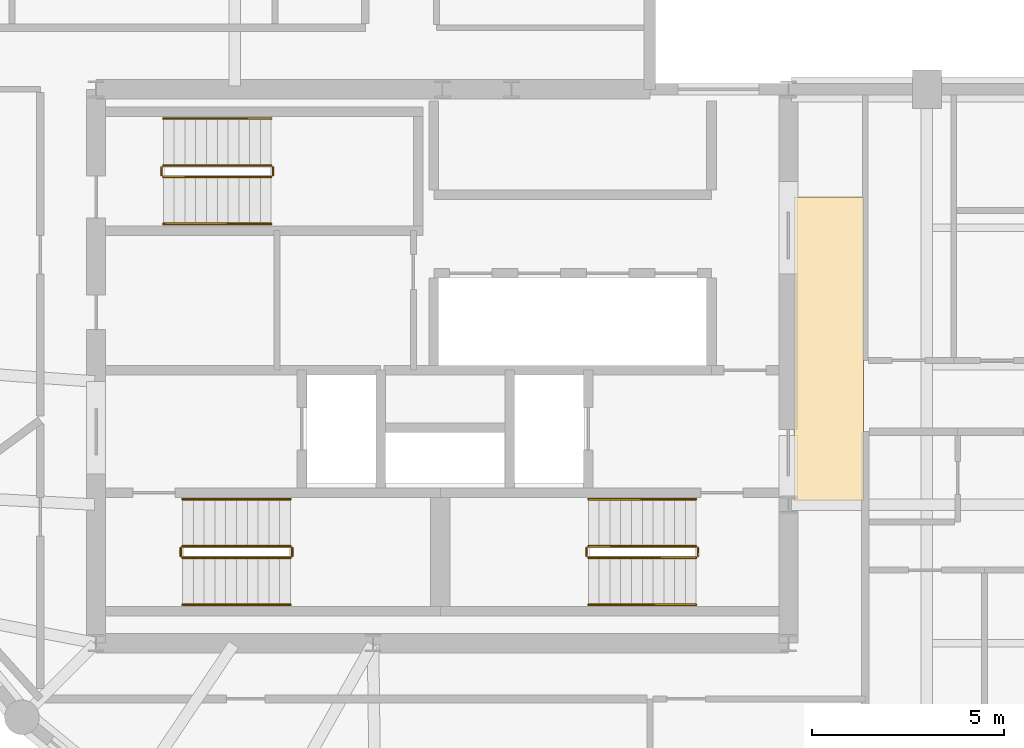
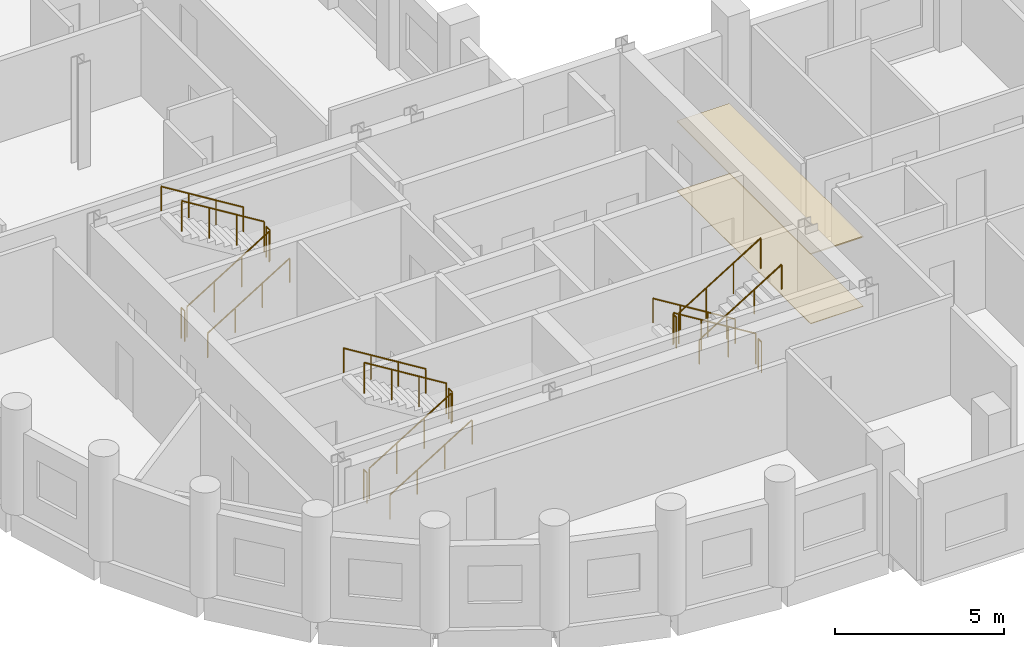
# One storey, part 9 of 9: 18 railings, 2 coverings.
"""IFC4 building model written with IfcOpenShell, lengths in metres."""

from ifc_helpers import new_model, si_unit, direction, frame, origin, origin_2d, place, context, subcontext, project, spatial, polyline, circle, outline, extrude, material, layer, layer_set, type_object, element, save


model = new_model("IFC4")

# Units and contexts
model_context = context("Model", 3, precision=1e-05, world=origin(), true_north=direction((0.0, 1.0)))
body_context = subcontext(model_context, "Body", "Model", "MODEL_VIEW")
ifc_project = project(units=[si_unit("LENGTHUNIT", "METRE"), si_unit("AREAUNIT", "SQUARE_METRE"), si_unit("VOLUMEUNIT", "CUBIC_METRE"), si_unit("PLANEANGLEUNIT", "RADIAN"), si_unit("MASSUNIT", "GRAM", prefix="KILO")], contexts=[model_context])

# Site, building, storey
site_placement = place(None, origin())
site = spatial("IfcSite", under=ifc_project, at=site_placement, CompositionType="ELEMENT")
building_placement = place(site_placement, origin())
building = spatial("IfcBuilding", under=site, at=building_placement, Name="Solnavia Interchange Tower", CompositionType="ELEMENT")
storey_placement = place(building_placement, frame((0.0, 0.0, 139.0)))
storey = spatial("IfcBuildingStorey", under=building, at=storey_placement, Name="L34", CompositionType="ELEMENT", Elevation=139.0)

# Coverings
ifc_material_1 = material(Name="Perforated Mineral-Fibre & Gypsum Ceiling", Category="gypsum")
ifc_layer_1 = layer(ifc_material_1, 0.0400390625)
ifc_layer_set_1 = layer_set([ifc_layer_1], Name="Perforated Mineral-Fibre & Gypsum Ceiling")
covering_type_1 = type_object("IfcCoveringType", Name="Covering-Ceiling-Acoustic40", PredefinedType="CEILING", material=ifc_layer_set_1)
covering_1_placement = place(storey_placement, frame((0.0, 0.0, 2.5)))
element("IfcCovering", 1, at=covering_1_placement, inside=storey, type_object=covering_type_1, Name="CLG-L34-01 Circulation suspended acoustic ceiling", PredefinedType="CEILING", context=body_context, shape_type="SweptSolid", body=[
    extrude(outline(polyline([(32.550048828125, 14.5), (34.35009765625, 14.5), (34.35009765625, 22.39990234375), (32.550048828125, 22.39990234375), (32.550048828125, 14.5)])), origin(), (0.0, 0.0, 1.0), 0.0400390625),
])
ifc_material_2 = material(Name="Engineered European Oak Flooring", Category="wood")
ifc_layer_2 = layer(ifc_material_2, 0.02001953125)
ifc_layer_set_2 = layer_set([ifc_layer_2], Name="Engineered European Oak Flooring")
covering_type_2 = type_object("IfcCoveringType", Name="Covering-Flooring-Timber20", PredefinedType="FLOORING", material=ifc_layer_set_2)
covering_2_placement = place(storey_placement, origin())
element("IfcCovering", 2, at=covering_2_placement, inside=storey, type_object=covering_type_2, Name="FLR-L34-01 Circulation floor finish", PredefinedType="FLOORING", context=body_context, shape_type="SweptSolid", body=[
    extrude(outline(polyline([(32.550048828125, 14.5), (34.35009765625, 14.5), (34.35009765625, 22.39990234375), (32.550048828125, 22.39990234375), (32.550048828125, 14.5)])), origin(), (0.0, 0.0, 1.0), 0.02001953125),
])

# Railings
ifc_material_3 = material(Name="Painted Steel Balustrade", Category="steel")
railing_type_1 = type_object("IfcRailingType", Name="Railing-StairGuard-1100", PredefinedType="GUARDRAIL", material=ifc_material_3)
railing_1_placement = place(storey_placement, frame((16.64990234375, 13.02001953125, 0.172607421875)))
element("IfcRailing", 3, at=railing_1_placement, inside=storey, type_object=railing_type_1, Name="L34 ST-1 stair guard 1", PredefinedType="GUARDRAIL", context=body_context, shape_type="SweptSolid", body=[
    extrude(circle(Radius=0.02392578125, at=origin_2d()), frame((0.0, 0.0, 1.09619140625), z_axis=(0.851089632645, 0.0, 0.525020415988), x_axis=(0.0, 1.0, 0.0)), (0.0, 0.0, 1.0), 3.2900390625),
    extrude(circle(Radius=0.02099609375, at=origin_2d()), origin(), (0.0, 0.0, 1.0), 1.072021484375),
    extrude(circle(Radius=0.02099609375, at=origin_2d()), frame((0.933349609375, 0.0, 0.57568359375)), (0.0, 0.0, 1.0), 1.072021484375),
    extrude(circle(Radius=0.02099609375, at=origin_2d()), frame((1.86669921875, 0.0, 1.151611328125)), (0.0, 0.0, 1.0), 1.072021484375),
    extrude(circle(Radius=0.02099609375, at=origin_2d()), frame((2.800048828125, 0.0, 1.727294921875)), (0.0, 0.0, 1.0), 1.072021484375),
])
railing_2_placement = place(storey_placement, frame((19.5, 13.070068359375, 1.89990234375)))
element("IfcRailing", 4, at=railing_2_placement, inside=storey, type_object=railing_type_1, Name="L34 ST-1 stair guard 2", PredefinedType="GUARDRAIL", context=body_context, shape_type="SweptSolid", body=[
    extrude(circle(Radius=0.02392578125, at=origin_2d()), frame((0.0, 0.0, 1.09619140625), z_axis=(0.0, 1.0, 0.0), x_axis=(-1.0, 0.0, 0.0)), (0.0, 0.0, 1.0), 0.199951171875),
    extrude(circle(Radius=0.02099609375, at=origin_2d()), origin(), (0.0, 0.0, 1.0), 1.072021484375),
    extrude(circle(Radius=0.02099609375, at=origin_2d()), frame((0.0, 0.199951171875, 0.0)), (0.0, 0.0, 1.0), 1.072021484375),
])
railing_3_placement = place(storey_placement, frame((19.449951171875, 13.320068359375, 2.07275390625)))
element("IfcRailing", 5, at=railing_3_placement, inside=storey, type_object=railing_type_1, Name="L34 ST-1 stair guard 3", PredefinedType="GUARDRAIL", context=body_context, shape_type="SweptSolid", body=[
    extrude(circle(Radius=0.02392578125, at=origin_2d()), frame((0.0, 0.0, 1.09619140625), z_axis=(-0.851089632645, 0.0, 0.525020415988), x_axis=(0.0, -1.0, 0.0)), (0.0, 0.0, 1.0), 3.2900390625),
    extrude(circle(Radius=0.02099609375, at=origin_2d()), origin(), (0.0, 0.0, 1.0), 1.072021484375),
    extrude(circle(Radius=0.02099609375, at=origin_2d()), frame((-0.933349609375, 0.0, 0.57568359375)), (0.0, 0.0, 1.0), 1.072021484375),
    extrude(circle(Radius=0.02099609375, at=origin_2d()), frame((-1.86669921875, 0.0, 1.151611328125)), (0.0, 0.0, 1.0), 1.072021484375),
    extrude(circle(Radius=0.02099609375, at=origin_2d()), frame((-2.800048828125, 0.0, 1.727294921875)), (0.0, 0.0, 1.0), 1.072021484375),
])
railing_4_placement = place(storey_placement, frame((16.60009765625, 13.070068359375, 0.0)))
element("IfcRailing", 6, at=railing_4_placement, inside=storey, type_object=railing_type_1, Name="L34 ST-1 stair guard 4", PredefinedType="GUARDRAIL", context=body_context, shape_type="SweptSolid", body=[
    extrude(circle(Radius=0.02392578125, at=origin_2d()), frame((0.0, 0.0, 1.09619140625), z_axis=(0.0, 1.0, 0.0), x_axis=(-1.0, 0.0, 0.0)), (0.0, 0.0, 1.0), 0.199951171875),
    extrude(circle(Radius=0.02099609375, at=origin_2d()), origin(), (0.0, 0.0, 1.0), 1.072021484375),
    extrude(circle(Radius=0.02099609375, at=origin_2d()), frame((0.0, 0.199951171875, 0.0)), (0.0, 0.0, 1.0), 1.072021484375),
])
railing_5_placement = place(storey_placement, frame((30.0, 13.320068359375, 0.172607421875)))
element("IfcRailing", 7, at=railing_5_placement, inside=storey, type_object=railing_type_1, Name="L34 ST-2 stair guard 1", PredefinedType="GUARDRAIL", context=body_context, shape_type="SweptSolid", body=[
    extrude(circle(Radius=0.02392578125, at=origin_2d()), frame((0.0, 0.0, 1.09619140625), z_axis=(-0.851089632645, 0.0, 0.525020415988), x_axis=(0.0, -1.0, 0.0)), (0.0, 0.0, 1.0), 3.2900390625),
    extrude(circle(Radius=0.02099609375, at=origin_2d()), origin(), (0.0, 0.0, 1.0), 1.072021484375),
    extrude(circle(Radius=0.02099609375, at=origin_2d()), frame((-0.933349609375, 0.0, 0.57568359375)), (0.0, 0.0, 1.0), 1.072021484375),
    extrude(circle(Radius=0.02099609375, at=origin_2d()), frame((-1.86669921875, 0.0, 1.151611328125)), (0.0, 0.0, 1.0), 1.072021484375),
    extrude(circle(Radius=0.02099609375, at=origin_2d()), frame((-2.800048828125, 0.0, 1.727294921875)), (0.0, 0.0, 1.0), 1.072021484375),
])
railing_6_placement = place(storey_placement, frame((27.14990234375, 13.27001953125, 1.89990234375)))
element("IfcRailing", 8, at=railing_6_placement, inside=storey, type_object=railing_type_1, Name="L34 ST-2 stair guard 2", PredefinedType="GUARDRAIL", context=body_context, shape_type="SweptSolid", body=[
    extrude(circle(Radius=0.02392578125, at=origin_2d()), frame((0.0, 0.0, 1.09619140625), z_axis=(0.0, -1.0, 0.0), x_axis=(1.0, 0.0, 0.0)), (0.0, 0.0, 1.0), 0.199951171875),
    extrude(circle(Radius=0.02099609375, at=origin_2d()), origin(), (0.0, 0.0, 1.0), 1.072021484375),
    extrude(circle(Radius=0.02099609375, at=origin_2d()), frame((0.0, -0.199951171875, 0.0)), (0.0, 0.0, 1.0), 1.072021484375),
])
railing_7_placement = place(storey_placement, frame((27.199951171875, 13.02001953125, 2.07275390625)))
element("IfcRailing", 9, at=railing_7_placement, inside=storey, type_object=railing_type_1, Name="L34 ST-2 stair guard 3", PredefinedType="GUARDRAIL", context=body_context, shape_type="SweptSolid", body=[
    extrude(circle(Radius=0.02392578125, at=origin_2d()), frame((0.0, 0.0, 1.09619140625), z_axis=(0.851089632645, 0.0, 0.525020415988), x_axis=(0.0, 1.0, 0.0)), (0.0, 0.0, 1.0), 3.2900390625),
    extrude(circle(Radius=0.02099609375, at=origin_2d()), origin(), (0.0, 0.0, 1.0), 1.072021484375),
    extrude(circle(Radius=0.02099609375, at=origin_2d()), frame((0.933349609375, 0.0, 0.57568359375)), (0.0, 0.0, 1.0), 1.072021484375),
    extrude(circle(Radius=0.02099609375, at=origin_2d()), frame((1.86669921875, 0.0, 1.151611328125)), (0.0, 0.0, 1.0), 1.072021484375),
    extrude(circle(Radius=0.02099609375, at=origin_2d()), frame((2.800048828125, 0.0, 1.727294921875)), (0.0, 0.0, 1.0), 1.072021484375),
])
railing_8_placement = place(storey_placement, frame((30.050048828125, 13.27001953125, 0.0)))
element("IfcRailing", 10, at=railing_8_placement, inside=storey, type_object=railing_type_1, Name="L34 ST-2 stair guard 4", PredefinedType="GUARDRAIL", context=body_context, shape_type="SweptSolid", body=[
    extrude(circle(Radius=0.02392578125, at=origin_2d()), frame((0.0, 0.0, 1.09619140625), z_axis=(0.0, -1.0, 0.0), x_axis=(1.0, 0.0, 0.0)), (0.0, 0.0, 1.0), 0.199951171875),
    extrude(circle(Radius=0.02099609375, at=origin_2d()), origin(), (0.0, 0.0, 1.0), 1.072021484375),
    extrude(circle(Radius=0.02099609375, at=origin_2d()), frame((0.0, -0.199951171875, 0.0)), (0.0, 0.0, 1.0), 1.072021484375),
])
railing_9_placement = place(storey_placement, frame((16.14990234375, 22.919921875, 0.172607421875)))
element("IfcRailing", 11, at=railing_9_placement, inside=storey, type_object=railing_type_1, Name="L34 ST-3 stair guard 1", PredefinedType="GUARDRAIL", context=body_context, shape_type="SweptSolid", body=[
    extrude(circle(Radius=0.02392578125, at=origin_2d()), frame((0.0, 0.0, 1.09619140625), z_axis=(0.851089632645, 0.0, 0.525020415988), x_axis=(0.0, 1.0, 0.0)), (0.0, 0.0, 1.0), 3.2900390625),
    extrude(circle(Radius=0.02099609375, at=origin_2d()), origin(), (0.0, 0.0, 1.0), 1.072021484375),
    extrude(circle(Radius=0.02099609375, at=origin_2d()), frame((0.933349609375, 0.0, 0.57568359375)), (0.0, 0.0, 1.0), 1.072021484375),
    extrude(circle(Radius=0.02099609375, at=origin_2d()), frame((1.86669921875, 0.0, 1.151611328125)), (0.0, 0.0, 1.0), 1.072021484375),
    extrude(circle(Radius=0.02099609375, at=origin_2d()), frame((2.800048828125, 0.0, 1.727294921875)), (0.0, 0.0, 1.0), 1.072021484375),
])
railing_10_placement = place(storey_placement, frame((19.0, 22.969970703125, 1.89990234375)))
element("IfcRailing", 12, at=railing_10_placement, inside=storey, type_object=railing_type_1, Name="L34 ST-3 stair guard 2", PredefinedType="GUARDRAIL", context=body_context, shape_type="SweptSolid", body=[
    extrude(circle(Radius=0.02392578125, at=origin_2d()), frame((0.0, 0.0, 1.09619140625), z_axis=(0.0, 1.0, 0.0), x_axis=(-1.0, 0.0, 0.0)), (0.0, 0.0, 1.0), 0.199951171875),
    extrude(circle(Radius=0.02099609375, at=origin_2d()), origin(), (0.0, 0.0, 1.0), 1.072021484375),
    extrude(circle(Radius=0.02099609375, at=origin_2d()), frame((0.0, 0.199951171875, 0.0)), (0.0, 0.0, 1.0), 1.072021484375),
])
railing_11_placement = place(storey_placement, frame((18.949951171875, 23.219970703125, 2.07275390625)))
element("IfcRailing", 13, at=railing_11_placement, inside=storey, type_object=railing_type_1, Name="L34 ST-3 stair guard 3", PredefinedType="GUARDRAIL", context=body_context, shape_type="SweptSolid", body=[
    extrude(circle(Radius=0.02392578125, at=origin_2d()), frame((0.0, 0.0, 1.09619140625), z_axis=(-0.851089632645, 0.0, 0.525020415988), x_axis=(0.0, -1.0, 0.0)), (0.0, 0.0, 1.0), 3.2900390625),
    extrude(circle(Radius=0.02099609375, at=origin_2d()), origin(), (0.0, 0.0, 1.0), 1.072021484375),
    extrude(circle(Radius=0.02099609375, at=origin_2d()), frame((-0.933349609375, 0.0, 0.57568359375)), (0.0, 0.0, 1.0), 1.072021484375),
    extrude(circle(Radius=0.02099609375, at=origin_2d()), frame((-1.86669921875, 0.0, 1.151611328125)), (0.0, 0.0, 1.0), 1.072021484375),
    extrude(circle(Radius=0.02099609375, at=origin_2d()), frame((-2.800048828125, 0.0, 1.727294921875)), (0.0, 0.0, 1.0), 1.072021484375),
])
railing_12_placement = place(storey_placement, frame((16.10009765625, 22.969970703125, 0.0)))
element("IfcRailing", 14, at=railing_12_placement, inside=storey, type_object=railing_type_1, Name="L34 ST-3 stair guard 4", PredefinedType="GUARDRAIL", context=body_context, shape_type="SweptSolid", body=[
    extrude(circle(Radius=0.02392578125, at=origin_2d()), frame((0.0, 0.0, 1.09619140625), z_axis=(0.0, 1.0, 0.0), x_axis=(-1.0, 0.0, 0.0)), (0.0, 0.0, 1.0), 0.199951171875),
    extrude(circle(Radius=0.02099609375, at=origin_2d()), origin(), (0.0, 0.0, 1.0), 1.072021484375),
    extrude(circle(Radius=0.02099609375, at=origin_2d()), frame((0.0, 0.199951171875, 0.0)), (0.0, 0.0, 1.0), 1.072021484375),
])
ifc_material_4 = material(Name="Brushed Stainless Steel", Category="steel")
railing_type_2 = type_object("IfcRailingType", Name="Railing-StairHandrail-900", PredefinedType="HANDRAIL", material=ifc_material_4)
railing_13_placement = place(storey_placement, frame((16.64990234375, 11.800048828125, 0.172607421875)))
element("IfcRailing", 15, at=railing_13_placement, inside=storey, type_object=railing_type_2, Name="L34 ST-1 stair handrail 1", PredefinedType="HANDRAIL", context=body_context, shape_type="SweptSolid", body=[
    extrude(circle(Radius=0.02392578125, at=origin_2d()), frame((0.0, 0.0, 0.8759765625), z_axis=(0.851089632645, 0.0, 0.525020415988), x_axis=(0.0, 1.0, 0.0)), (0.0, 0.0, 1.0), 3.2900390625),
    extrude(circle(Radius=0.02099609375, at=origin_2d()), origin(), (0.0, 0.0, 1.0), 0.851806640625),
    extrude(circle(Radius=0.02099609375, at=origin_2d()), frame((0.933349609375, 0.0, 0.57568359375)), (0.0, 0.0, 1.0), 0.851806640625),
    extrude(circle(Radius=0.02099609375, at=origin_2d()), frame((1.86669921875, 0.0, 1.151611328125)), (0.0, 0.0, 1.0), 0.851806640625),
    extrude(circle(Radius=0.02099609375, at=origin_2d()), frame((2.800048828125, 0.0, 1.727294921875)), (0.0, 0.0, 1.0), 0.851806640625),
])
for number, where, name in (
    (16, (19.449951171875, 14.5400390625, 2.07275390625), "L34 ST-1 stair handrail 2"),
    (17, (30.0, 14.5400390625, 0.172607421875), "L34 ST-2 stair handrail 1"),
):
    element("IfcRailing", number, at=place(storey_placement, frame(where)), inside=storey, type_object=railing_type_2, Name=name, PredefinedType="HANDRAIL", context=body_context, shape_type="SweptSolid", body=[
        extrude(circle(Radius=0.02392578125, at=origin_2d()), frame((0.0, 0.0, 0.8759765625), z_axis=(-0.851089632645, 0.0, 0.525020415988), x_axis=(0.0, -1.0, 0.0)), (0.0, 0.0, 1.0), 3.2900390625),
        extrude(circle(Radius=0.02099609375, at=origin_2d()), origin(), (0.0, 0.0, 1.0), 0.851806640625),
        extrude(circle(Radius=0.02099609375, at=origin_2d()), frame((-0.933349609375, 0.0, 0.57568359375)), (0.0, 0.0, 1.0), 0.851806640625),
        extrude(circle(Radius=0.02099609375, at=origin_2d()), frame((-1.86669921875, 0.0, 1.151611328125)), (0.0, 0.0, 1.0), 0.851806640625),
        extrude(circle(Radius=0.02099609375, at=origin_2d()), frame((-2.800048828125, 0.0, 1.727294921875)), (0.0, 0.0, 1.0), 0.851806640625),
    ])
for number, where, name in (
    (18, (27.199951171875, 11.800048828125, 2.07275390625), "L34 ST-2 stair handrail 2"),
    (19, (16.14990234375, 21.699951171875, 0.172607421875), "L34 ST-3 stair handrail 1"),
):
    element("IfcRailing", number, at=place(storey_placement, frame(where)), inside=storey, type_object=railing_type_2, Name=name, PredefinedType="HANDRAIL", context=body_context, shape_type="SweptSolid", body=[
        extrude(circle(Radius=0.02392578125, at=origin_2d()), frame((0.0, 0.0, 0.8759765625), z_axis=(0.851089632645, 0.0, 0.525020415988), x_axis=(0.0, 1.0, 0.0)), (0.0, 0.0, 1.0), 3.2900390625),
        extrude(circle(Radius=0.02099609375, at=origin_2d()), origin(), (0.0, 0.0, 1.0), 0.851806640625),
        extrude(circle(Radius=0.02099609375, at=origin_2d()), frame((0.933349609375, 0.0, 0.57568359375)), (0.0, 0.0, 1.0), 0.851806640625),
        extrude(circle(Radius=0.02099609375, at=origin_2d()), frame((1.86669921875, 0.0, 1.151611328125)), (0.0, 0.0, 1.0), 0.851806640625),
        extrude(circle(Radius=0.02099609375, at=origin_2d()), frame((2.800048828125, 0.0, 1.727294921875)), (0.0, 0.0, 1.0), 0.851806640625),
    ])
railing_14_placement = place(storey_placement, frame((18.949951171875, 24.43994140625, 2.07275390625)))
element("IfcRailing", 20, at=railing_14_placement, inside=storey, type_object=railing_type_2, Name="L34 ST-3 stair handrail 2", PredefinedType="HANDRAIL", context=body_context, shape_type="SweptSolid", body=[
    extrude(circle(Radius=0.02392578125, at=origin_2d()), frame((0.0, 0.0, 0.8759765625), z_axis=(-0.851089632645, 0.0, 0.525020415988), x_axis=(0.0, -1.0, 0.0)), (0.0, 0.0, 1.0), 3.2900390625),
    extrude(circle(Radius=0.02099609375, at=origin_2d()), origin(), (0.0, 0.0, 1.0), 0.851806640625),
    extrude(circle(Radius=0.02099609375, at=origin_2d()), frame((-0.933349609375, 0.0, 0.57568359375)), (0.0, 0.0, 1.0), 0.851806640625),
    extrude(circle(Radius=0.02099609375, at=origin_2d()), frame((-1.86669921875, 0.0, 1.151611328125)), (0.0, 0.0, 1.0), 0.851806640625),
    extrude(circle(Radius=0.02099609375, at=origin_2d()), frame((-2.800048828125, 0.0, 1.727294921875)), (0.0, 0.0, 1.0), 0.851806640625),
])

save(model, "model.ifc")
